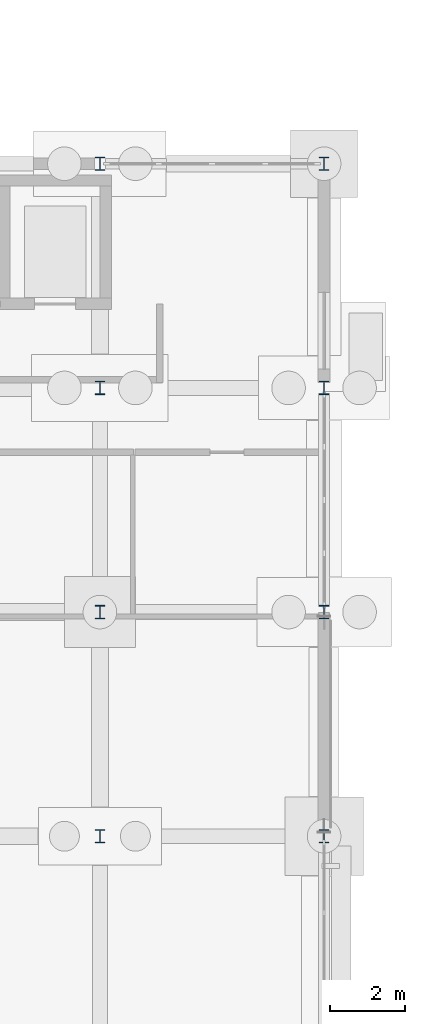
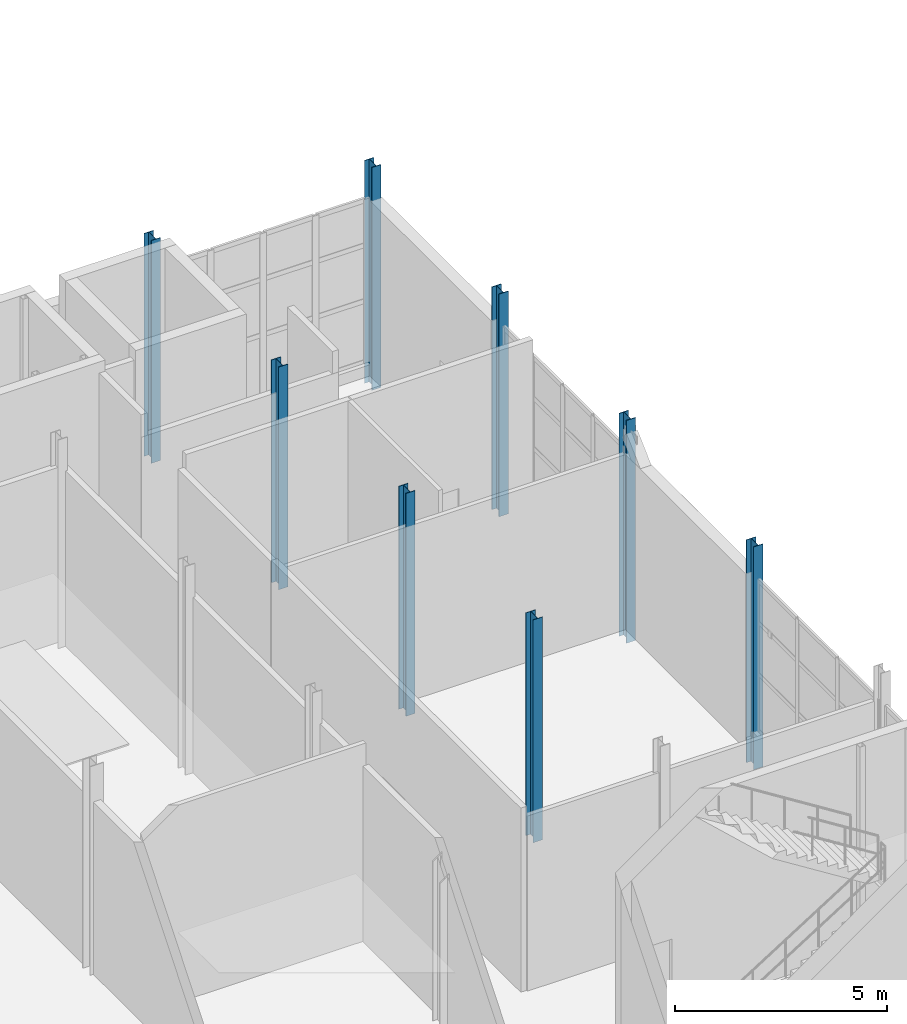
# One storey, part 21 of 120: 8 columns.
"""IFC4 building model written with IfcOpenShell, lengths in metres."""

from ifc_helpers import new_model, si_unit, direction, frame, origin, origin_2d, place, context, subcontext, project, spatial, i_section, extrude, material, material_profile, profile_set, type_object, element, save


model = new_model("IFC4")

# Units and contexts
model_context = context("Model", 3, precision=1e-05, world=origin(), true_north=direction((0.0, 1.0)))
body_context = subcontext(model_context, "Body", "Model", "MODEL_VIEW")
ifc_project = project(units=[si_unit("LENGTHUNIT", "METRE"), si_unit("AREAUNIT", "SQUARE_METRE"), si_unit("VOLUMEUNIT", "CUBIC_METRE"), si_unit("PLANEANGLEUNIT", "RADIAN"), si_unit("MASSUNIT", "GRAM", prefix="KILO")], contexts=[model_context])

# Site, building, storey
site_placement = place(None, origin())
site = spatial("IfcSite", under=ifc_project, at=site_placement, CompositionType="ELEMENT")
building_placement = place(site_placement, origin())
building = spatial("IfcBuilding", under=site, at=building_placement, Name="Siltcreek Boulevard Central Fire Station", CompositionType="ELEMENT")
storey_placement = place(building_placement, origin())
storey = spatial("IfcBuildingStorey", under=building, at=storey_placement, Name="L01", CompositionType="ELEMENT", Elevation=0.0)

# Columns
ifc_material = material(Name="Structural steel ASTM A992 Gr50", Category="steel")
ifc_material_profile = material_profile(ifc_material, i_section(OverallWidth=0.25390625, OverallDepth=0.35302734375, WebThickness=0.009521484375, FlangeThickness=0.016357421875, at=origin_2d()), Name="W360X91")
ifc_profile_set = profile_set([ifc_material_profile], Name="Structural steel ASTM A992 Gr50")
column_type = type_object("IfcColumnType", Name="COL_W360X91", PredefinedType="COLUMN", material=ifc_profile_set)
for number, where, z_axis, x_axis, name in (
    (1, (102.0, 36.0, -0.409912109375), (0.0, 0.0, 1.0), (1.0, 0.0, 0.0), "L01 structural column COLG-L01-1020-360"),
    (2, (102.0, 42.0, -0.409912109375), (0.0, 0.0, 1.0), (1.0, 0.0, 0.0), "L01 structural column COLG-L01-1020-420"),
    (3, (102.0, 48.0, -0.409912109375), (0.0, 0.0, 1.0), (1.0, 0.0, 0.0), "L01 structural column COLG-L01-1020-480"),
    (4, (102.0, 54.0, -0.409912109375), (0.0, 0.0, 1.0), (1.0, 0.0, 0.0), "L01 structural column COLG-L01-1020-540"),
    (5, (108.0, 36.0, -0.409912109375), (0.0, 0.0, 1.0), (1.0, 0.0, 0.0), "L01 structural column COLG-L01-1080-360"),
    (6, (108.0, 42.0, -0.409912109375), (0.0, 0.0, 1.0), (1.0, 0.0, 0.0), "L01 structural column COLG-L01-1080-420"),
    (7, (108.0, 48.0, -0.409912109375), (0.0, 0.0, 1.0), (1.0, 0.0, 0.0), "L01 structural column COLG-L01-1080-480"),
    (8, (108.0, 54.0, -0.409912109375), (0.0, 0.0, 1.0), (1.0, 0.0, 0.0), "L01 structural column COLG-L01-1080-540"),
):
    element("IfcColumn", number, at=place(storey_placement, frame(where, z_axis=z_axis, x_axis=x_axis)), inside=storey, type_object=column_type, Name=name, PredefinedType="COLUMN", context=body_context, shape_type="SweptSolid", body=[
        extrude(i_section(OverallWidth=0.25390625, OverallDepth=0.35302734375, WebThickness=0.009521484375, FlangeThickness=0.016357421875, at=origin_2d()), origin(), (0.0, 0.0, 1.0), 6.409912109375),
    ])

save(model, "model.ifc")
